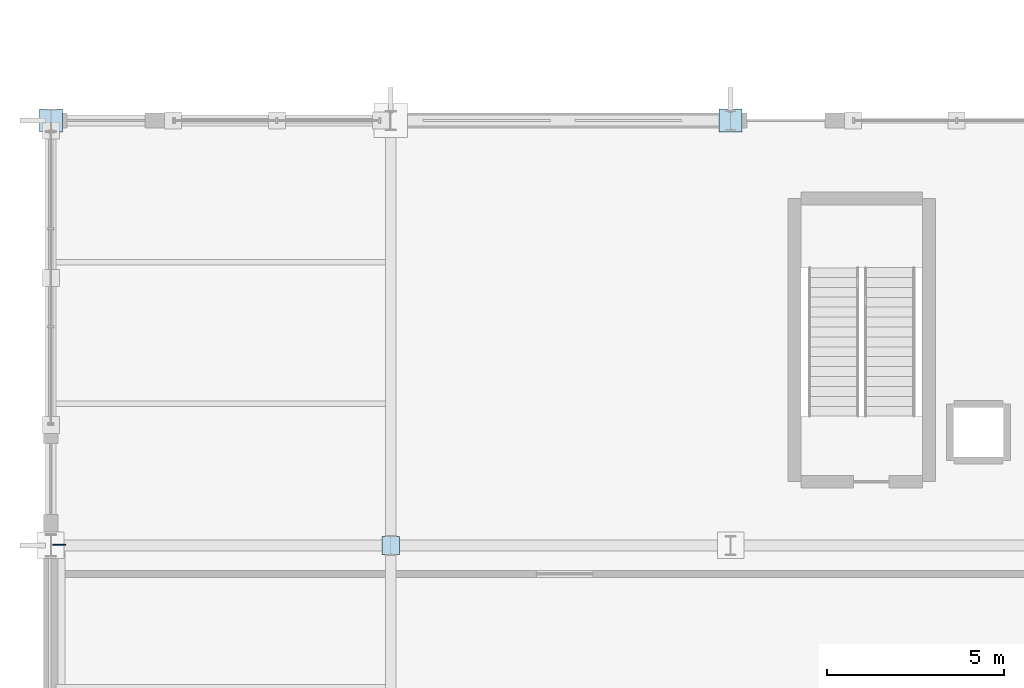
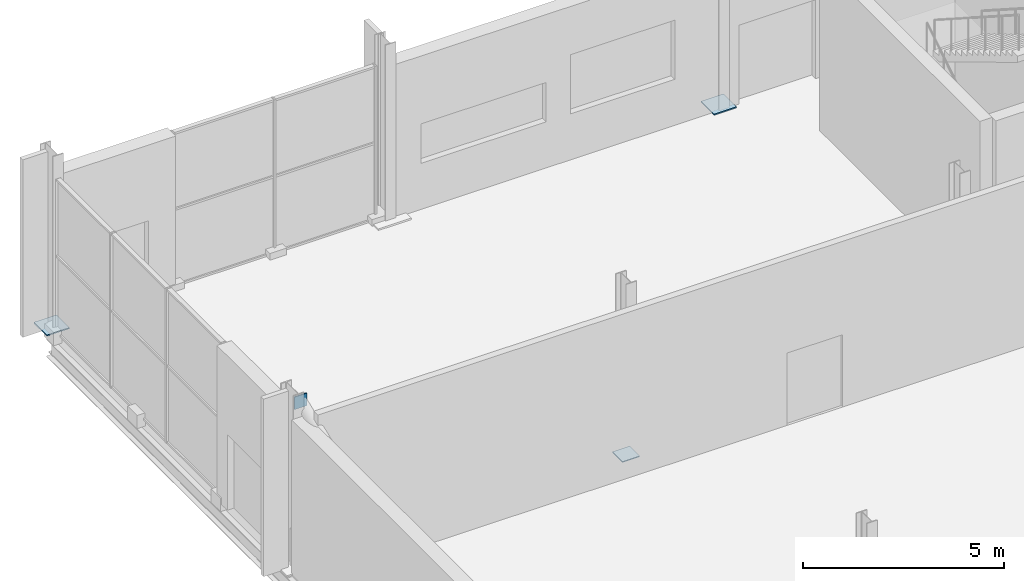
# One storey, part 162 of 196: 4 plates.
"""IFC4 building model written with IfcOpenShell, lengths in metres."""

from ifc_helpers import new_model, si_unit, direction, frame, origin, origin_2d, place, context, subcontext, project, spatial, rectangle, extrude, material, layer, layer_set, type_object, element, save


model = new_model("IFC4")

# Units and contexts
model_context = context("Model", 3, precision=1e-05, world=origin(), true_north=direction((0.0, 1.0)))
body_context = subcontext(model_context, "Body", "Model", "MODEL_VIEW")
ifc_project = project(units=[si_unit("LENGTHUNIT", "METRE"), si_unit("AREAUNIT", "SQUARE_METRE"), si_unit("VOLUMEUNIT", "CUBIC_METRE"), si_unit("PLANEANGLEUNIT", "RADIAN"), si_unit("MASSUNIT", "GRAM", prefix="KILO")], contexts=[model_context])

# Site, building, storey
site_placement = place(None, origin())
site = spatial("IfcSite", under=ifc_project, at=site_placement, CompositionType="ELEMENT")
building_placement = place(site_placement, origin())
building = spatial("IfcBuilding", under=site, at=building_placement, Name="Merenkruunu Market Hall", CompositionType="ELEMENT")
storey_placement = place(building_placement, origin())
storey = spatial("IfcBuildingStorey", under=building, at=storey_placement, Name="L00", CompositionType="ELEMENT", Elevation=0.0)

# Plates
ifc_material = material(Name="Steel S355ML", Category="steel")
ifc_layer_1 = layer(ifc_material, 0.034912109375)
ifc_layer_set_1 = layer_set([ifc_layer_1], Name="Steel S355ML")
plate_type_1 = type_object("IfcPlateType", Name="Column Base Plate BP03", PredefinedType="USERDEFINED", material=ifc_layer_set_1)
for number, where, z_axis, x_axis, name in (
    (1, (0.0, 111.60009765625, 0.0), (0.0, 0.0, 1.0), (1.0, 0.0, 0.0), "PLT-BP-A-12"),
    (2, (19.199951171875, 111.60009765625, 0.0), (0.0, 0.0, 1.0), (1.0, 0.0, 0.0), "PLT-BP-C-12"),
):
    element("IfcPlate", number, at=place(storey_placement, frame(where, z_axis=z_axis, x_axis=x_axis)), inside=storey, type_object=plate_type_1, Name=name, ObjectType="BASE_PLATE", PredefinedType="USERDEFINED", context=body_context, shape_type="SweptSolid", body=[
        extrude(rectangle(XDim=0.64990234375, YDim=0.64990234375, at=origin_2d()), origin(), (0.0, 0.0, 1.0), 0.034912109375),
    ])
ifc_layer_2 = layer(ifc_material, 0.028076171875)
ifc_layer_set_2 = layer_set([ifc_layer_2], Name="Steel S355ML")
plate_type_2 = type_object("IfcPlateType", Name="Column Base Plate BP05", PredefinedType="USERDEFINED", material=ifc_layer_set_2)
plate_1_placement = place(storey_placement, frame((9.60009765625, 99.60009765625, 0.0), z_axis=(0.0, 0.0, 1.0), x_axis=(1.0, 0.0, 0.0)))
element("IfcPlate", 3, at=plate_1_placement, inside=storey, type_object=plate_type_2, Name="PLT-BP-B-11", ObjectType="BASE_PLATE", PredefinedType="USERDEFINED", context=body_context, shape_type="SweptSolid", body=[
    extrude(rectangle(XDim=0.5, YDim=0.5, at=origin_2d()), origin(), (0.0, 0.0, 1.0), 0.028076171875),
])
ifc_layer_3 = layer(ifc_material, 0.035888671875)
ifc_layer_set_3 = layer_set([ifc_layer_3], Name="Steel S355ML")
plate_type_3 = type_object("IfcPlateType", Name="Truss Gusset Or Cap Plate CP08", PredefinedType="USERDEFINED", material=ifc_layer_set_3)
plate_2_placement = place(storey_placement, frame((0.239990234375, 99.617919921875, 4.7099609375), z_axis=(0.0, 0.0, 1.0), x_axis=(1.0, 0.0, 0.0)))
element("IfcPlate", 4, at=plate_2_placement, inside=storey, type_object=plate_type_3, Name="PLT-CBF01-B", ObjectType="GUSSET_PLATE", PredefinedType="USERDEFINED", context=body_context, shape_type="SweptSolid", body=[
    extrude(rectangle(XDim=0.360107421875, YDim=0.035888671875, at=origin_2d()), origin(), (0.0, 0.0, 1.0), 0.3798828125),
])

save(model, "model.ifc")
